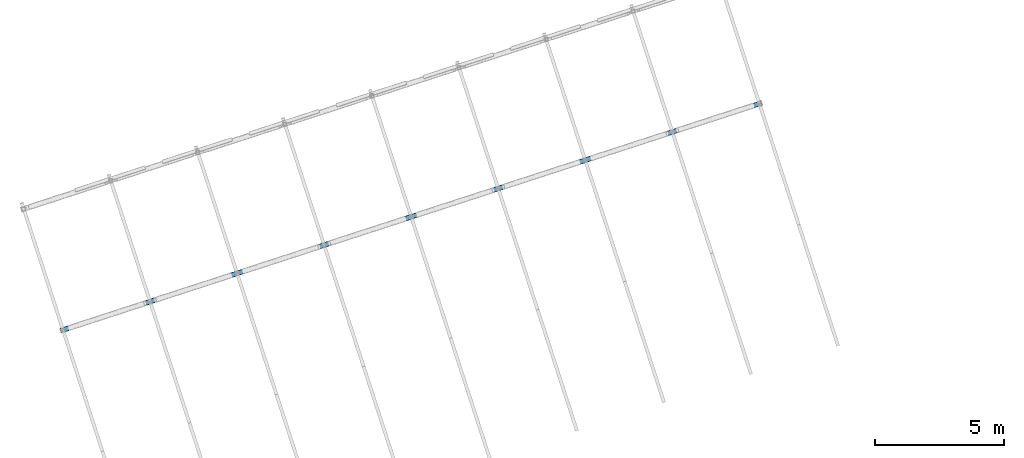
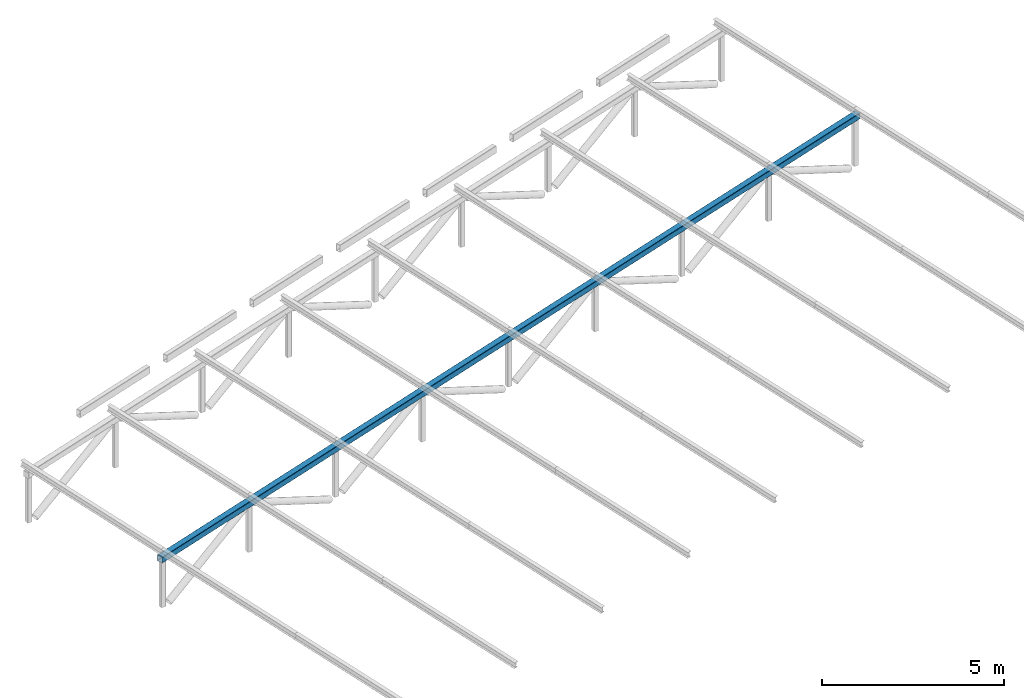
# One storey, part 5 of 43: 1 member.
"""IFC4 building model written with IfcOpenShell, lengths in metres."""

from ifc_helpers import new_model, si_unit, direction, frame, origin, origin_2d, place, context, subcontext, project, spatial, hollow_rectangle, extrude, material, material_profile, profile_set, type_object, element, save


model = new_model("IFC4")

# Units and contexts
model_context = context("Model", 3, precision=1e-05, world=origin(), true_north=direction((0.0, 1.0)))
body_context = subcontext(model_context, "Body", "Model", "MODEL_VIEW")
ifc_project = project(units=[si_unit("LENGTHUNIT", "METRE"), si_unit("AREAUNIT", "SQUARE_METRE"), si_unit("VOLUMEUNIT", "CUBIC_METRE"), si_unit("PLANEANGLEUNIT", "RADIAN"), si_unit("MASSUNIT", "GRAM", prefix="KILO")], contexts=[model_context])

# Site, building, storey
site_placement = place(None, origin())
site = spatial("IfcSite", under=ifc_project, at=site_placement, CompositionType="ELEMENT")
building_placement = place(site_placement, origin())
building = spatial("IfcBuilding", under=site, at=building_placement, Name="Tuart Plaza Theatre", CompositionType="ELEMENT")
storey_placement = place(building_placement, frame((0.0, 0.0, 33.5)))
storey = spatial("IfcBuildingStorey", under=building, at=storey_placement, Name="L08", CompositionType="ELEMENT", Elevation=33.5)

# Member
ifc_material = material(Name="Steel Grade C350L0", Category="steel")
ifc_material_profile = material_profile(ifc_material, hollow_rectangle(XDim=0.199951171875, YDim=0.199951171875, WallThickness=0.010009765625, InnerFilletRadius=0.010009765625, OuterFilletRadius=0.02001953125, at=origin_2d()), Name="200x200x10 SHS")
ifc_profile_set = profile_set([ifc_material_profile], Name="Steel Grade C350L0")
member_type = type_object("IfcMemberType", Name="MEMBER Chord 200x200x10 SHS", PredefinedType="CHORD", material=ifc_profile_set)
member_placement = place(storey_placement, frame((36.8447265625, 82.990966796875, 0.965576171875), z_axis=(0.951055766824, 0.309019301002, 0.0), x_axis=(-0.309019301002, 0.951055766824, 0.0)))
element("IfcMember", 1, at=member_placement, inside=storey, type_object=member_type, Name="CH24", PredefinedType="CHORD", context=body_context, shape_type="SweptSolid", body=[
    extrude(hollow_rectangle(XDim=0.199951171875, YDim=0.199951171875, WallThickness=0.010009765625, InnerFilletRadius=0.010009765625, OuterFilletRadius=0.02001953125, at=origin_2d()), origin(), (0.0, 0.0, 1.0), 28.68896484375),
])

save(model, "model.ifc")
